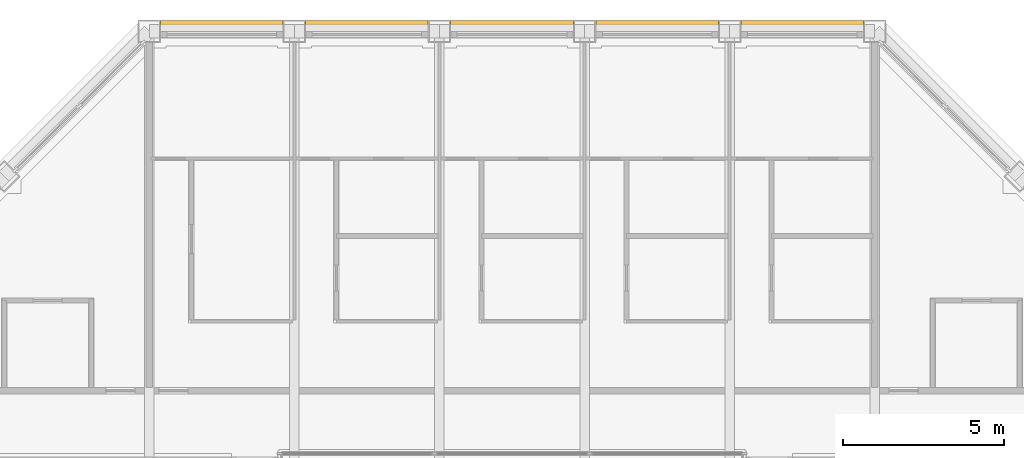
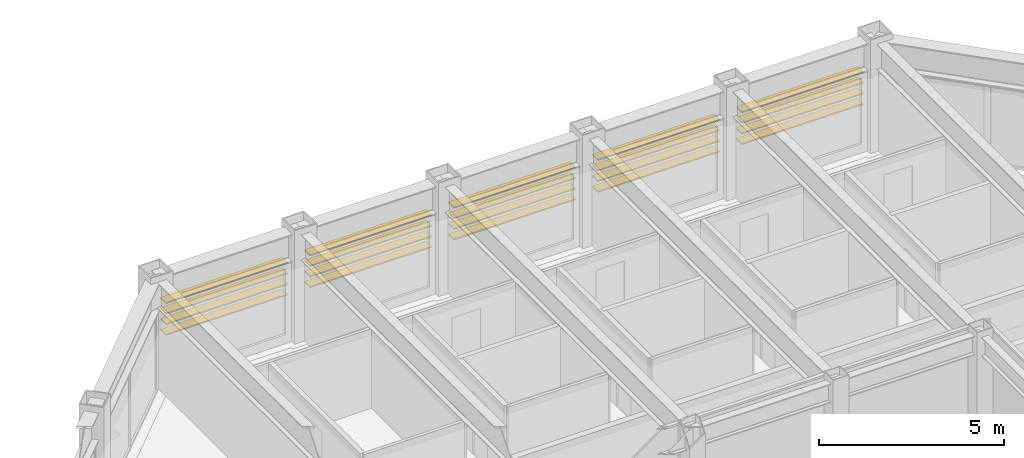
# One storey, part 18 of 18: 1 shading device.
"""IFC4 building model written with IfcOpenShell, lengths in metres."""

from ifc_helpers import new_model, si_unit, direction, frame, origin, origin_2d, place, context, subcontext, project, spatial, rectangle, extrude, material, type_object, element, save


model = new_model("IFC4")

# Units and contexts
model_context = context("Model", 3, precision=1e-05, world=origin(), true_north=direction((0.0, 1.0)))
body_context = subcontext(model_context, "Body", "Model", "MODEL_VIEW")
ifc_project = project(units=[si_unit("LENGTHUNIT", "METRE"), si_unit("AREAUNIT", "SQUARE_METRE"), si_unit("VOLUMEUNIT", "CUBIC_METRE"), si_unit("PLANEANGLEUNIT", "RADIAN"), si_unit("MASSUNIT", "GRAM", prefix="KILO")], contexts=[model_context])

# Site, building, storey
site_placement = place(None, origin())
site = spatial("IfcSite", under=ifc_project, at=site_placement, CompositionType="ELEMENT")
building_placement = place(site_placement, origin())
building = spatial("IfcBuilding", under=site, at=building_placement, Name="Msasa Ring Tower", CompositionType="ELEMENT")
storey_placement = place(building_placement, frame((0.0, 0.0, 245.800048828125)))
storey = spatial("IfcBuildingStorey", under=building, at=storey_placement, Name="L64", CompositionType="ELEMENT", Elevation=245.800048828125)

# Shading device
ifc_material = material(Name="Extruded terracotta blades", Category="masonry")
shading_device_type = type_object("IfcShadingDeviceType", Name="SS1 TERRACOTTA SUNSHADE 4 BLADES 300x40 AT 350", PredefinedType="USERDEFINED", material=ifc_material)
shading_device_placement = place(storey_placement, origin())
element("IfcShadingDevice", 1, at=shading_device_placement, inside=storey, type_object=shading_device_type, Name="Terracotta sunshade N L64", ObjectType="SUNSHADE", PredefinedType="USERDEFINED", context=body_context, shape_type="SweptSolid", body=[
    extrude(rectangle(XDim=0.0400390625, YDim=0.300048828125, at=origin_2d()), frame((-10.89990234375, 20.429931640625, 2.458984375), z_axis=(1.0, 0.0, 0.0), x_axis=(0.0, 0.0, 1.0)), (0.0, 0.0, 1.0), 3.800048828125),
    extrude(rectangle(XDim=0.0400390625, YDim=0.300048828125, at=origin_2d()), frame((-10.89990234375, 20.429931640625, 2.10888671875), z_axis=(1.0, 0.0, 0.0), x_axis=(0.0, 0.0, 1.0)), (0.0, 0.0, 1.0), 3.800048828125),
    extrude(rectangle(XDim=0.0400390625, YDim=0.300048828125, at=origin_2d()), frame((-10.89990234375, 20.429931640625, 1.759033203125), z_axis=(1.0, 0.0, 0.0), x_axis=(0.0, 0.0, 1.0)), (0.0, 0.0, 1.0), 3.800048828125),
    extrude(rectangle(XDim=0.0400390625, YDim=0.300048828125, at=origin_2d()), frame((-10.89990234375, 20.429931640625, 1.408935546875), z_axis=(1.0, 0.0, 0.0), x_axis=(0.0, 0.0, 1.0)), (0.0, 0.0, 1.0), 3.800048828125),
    extrude(rectangle(XDim=0.0400390625, YDim=0.300048828125, at=origin_2d()), frame((-6.39990234375, 20.429931640625, 2.458984375), z_axis=(1.0, 0.0, 0.0), x_axis=(0.0, 0.0, 1.0)), (0.0, 0.0, 1.0), 3.800048828125),
    extrude(rectangle(XDim=0.0400390625, YDim=0.300048828125, at=origin_2d()), frame((-6.39990234375, 20.429931640625, 2.10888671875), z_axis=(1.0, 0.0, 0.0), x_axis=(0.0, 0.0, 1.0)), (0.0, 0.0, 1.0), 3.800048828125),
    extrude(rectangle(XDim=0.0400390625, YDim=0.300048828125, at=origin_2d()), frame((-6.39990234375, 20.429931640625, 1.759033203125), z_axis=(1.0, 0.0, 0.0), x_axis=(0.0, 0.0, 1.0)), (0.0, 0.0, 1.0), 3.800048828125),
    extrude(rectangle(XDim=0.0400390625, YDim=0.300048828125, at=origin_2d()), frame((-6.39990234375, 20.429931640625, 1.408935546875), z_axis=(1.0, 0.0, 0.0), x_axis=(0.0, 0.0, 1.0)), (0.0, 0.0, 1.0), 3.800048828125),
    extrude(rectangle(XDim=0.0400390625, YDim=0.300048828125, at=origin_2d()), frame((-1.89990234375, 20.429931640625, 2.458984375), z_axis=(1.0, 0.0, 0.0), x_axis=(0.0, 0.0, 1.0)), (0.0, 0.0, 1.0), 3.800048828125),
    extrude(rectangle(XDim=0.0400390625, YDim=0.300048828125, at=origin_2d()), frame((-1.89990234375, 20.429931640625, 2.10888671875), z_axis=(1.0, 0.0, 0.0), x_axis=(0.0, 0.0, 1.0)), (0.0, 0.0, 1.0), 3.800048828125),
    extrude(rectangle(XDim=0.0400390625, YDim=0.300048828125, at=origin_2d()), frame((-1.89990234375, 20.429931640625, 1.759033203125), z_axis=(1.0, 0.0, 0.0), x_axis=(0.0, 0.0, 1.0)), (0.0, 0.0, 1.0), 3.800048828125),
    extrude(rectangle(XDim=0.0400390625, YDim=0.300048828125, at=origin_2d()), frame((-1.89990234375, 20.429931640625, 1.408935546875), z_axis=(1.0, 0.0, 0.0), x_axis=(0.0, 0.0, 1.0)), (0.0, 0.0, 1.0), 3.800048828125),
    extrude(rectangle(XDim=0.0400390625, YDim=0.300048828125, at=origin_2d()), frame((2.60009765625, 20.429931640625, 2.458984375), z_axis=(1.0, 0.0, 0.0), x_axis=(0.0, 0.0, 1.0)), (0.0, 0.0, 1.0), 3.800048828125),
    extrude(rectangle(XDim=0.0400390625, YDim=0.300048828125, at=origin_2d()), frame((2.60009765625, 20.429931640625, 2.10888671875), z_axis=(1.0, 0.0, 0.0), x_axis=(0.0, 0.0, 1.0)), (0.0, 0.0, 1.0), 3.800048828125),
    extrude(rectangle(XDim=0.0400390625, YDim=0.300048828125, at=origin_2d()), frame((2.60009765625, 20.429931640625, 1.759033203125), z_axis=(1.0, 0.0, 0.0), x_axis=(0.0, 0.0, 1.0)), (0.0, 0.0, 1.0), 3.800048828125),
    extrude(rectangle(XDim=0.0400390625, YDim=0.300048828125, at=origin_2d()), frame((2.60009765625, 20.429931640625, 1.408935546875), z_axis=(1.0, 0.0, 0.0), x_axis=(0.0, 0.0, 1.0)), (0.0, 0.0, 1.0), 3.800048828125),
    extrude(rectangle(XDim=0.0400390625, YDim=0.300048828125, at=origin_2d()), frame((7.10009765625, 20.429931640625, 2.458984375), z_axis=(1.0, 0.0, 0.0), x_axis=(0.0, 0.0, 1.0)), (0.0, 0.0, 1.0), 3.800048828125),
    extrude(rectangle(XDim=0.0400390625, YDim=0.300048828125, at=origin_2d()), frame((7.10009765625, 20.429931640625, 2.10888671875), z_axis=(1.0, 0.0, 0.0), x_axis=(0.0, 0.0, 1.0)), (0.0, 0.0, 1.0), 3.800048828125),
    extrude(rectangle(XDim=0.0400390625, YDim=0.300048828125, at=origin_2d()), frame((7.10009765625, 20.429931640625, 1.759033203125), z_axis=(1.0, 0.0, 0.0), x_axis=(0.0, 0.0, 1.0)), (0.0, 0.0, 1.0), 3.800048828125),
    extrude(rectangle(XDim=0.0400390625, YDim=0.300048828125, at=origin_2d()), frame((7.10009765625, 20.429931640625, 1.408935546875), z_axis=(1.0, 0.0, 0.0), x_axis=(0.0, 0.0, 1.0)), (0.0, 0.0, 1.0), 3.800048828125),
])

save(model, "model.ifc")
